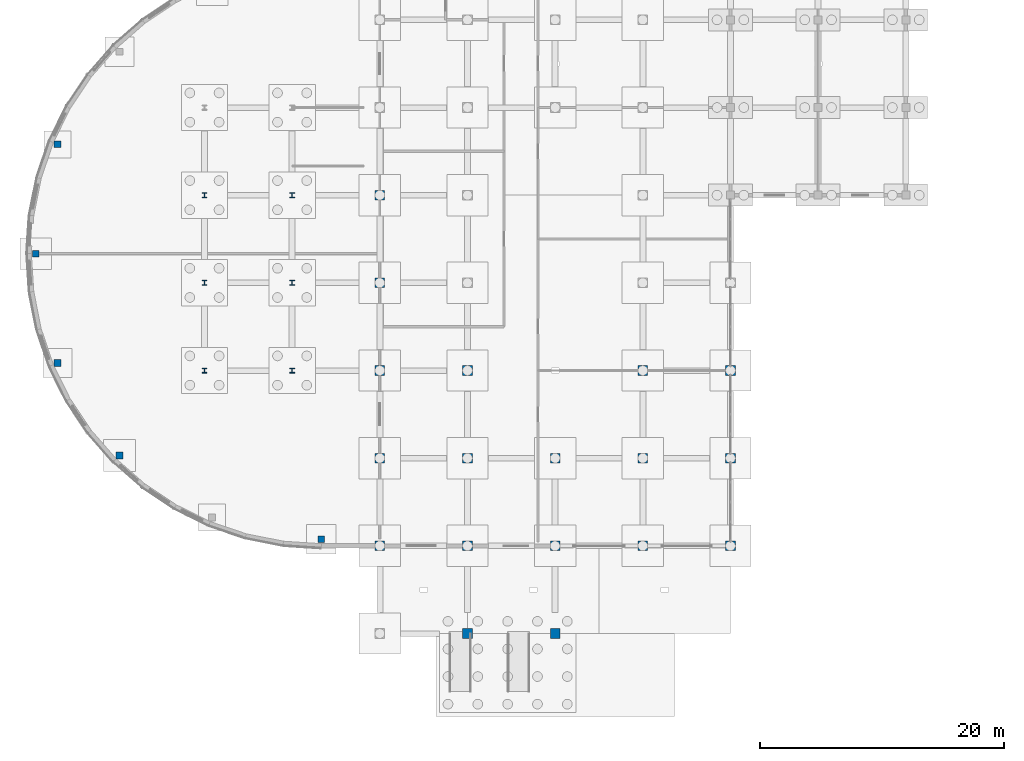
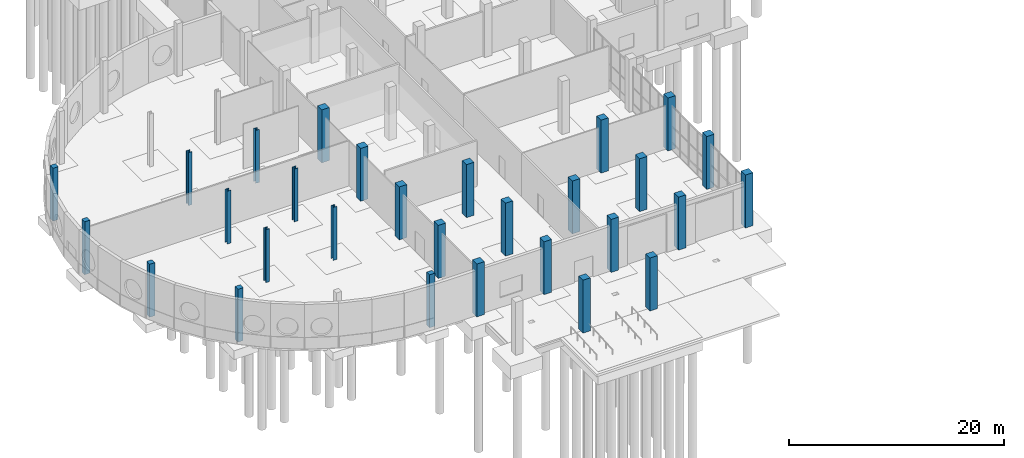
# One storey, part 6 of 45: 29 columns.
"""IFC4 building model written with IfcOpenShell, lengths in metres."""

from ifc_helpers import new_model, si_unit, direction, frame, origin, origin_2d, place, context, subcontext, project, spatial, rectangle, i_section, extrude, material, material_profile, profile_set, type_object, element, save


model = new_model("IFC4")

# Units and contexts
model_context = context("Model", 3, precision=1e-05, world=origin(), true_north=direction((0.0, 1.0)))
body_context = subcontext(model_context, "Body", "Model", "MODEL_VIEW")
ifc_project = project(units=[si_unit("LENGTHUNIT", "METRE"), si_unit("AREAUNIT", "SQUARE_METRE"), si_unit("VOLUMEUNIT", "CUBIC_METRE"), si_unit("PLANEANGLEUNIT", "RADIAN"), si_unit("MASSUNIT", "GRAM", prefix="KILO")], contexts=[model_context])

# Site, building, storey
site_placement = place(None, origin())
site = spatial("IfcSite", under=ifc_project, at=site_placement, CompositionType="ELEMENT")
building_placement = place(site_placement, origin())
building = spatial("IfcBuilding", under=site, at=building_placement, Name="Yarey Park Central Fire Station", CompositionType="ELEMENT")
storey_placement = place(building_placement, origin())
storey = spatial("IfcBuildingStorey", under=building, at=storey_placement, Name="L01", CompositionType="ELEMENT", Elevation=0.0)

# Columns
ifc_material_1 = material(Name="Concrete C40/50", Category="concrete")
ifc_material_profile_1 = material_profile(ifc_material_1, rectangle(XDim=0.550048828125, YDim=0.550048828125, at=origin_2d()), Name="RC 550x550")
ifc_profile_set_1 = profile_set([ifc_material_profile_1], Name="Concrete C40/50")
column_type_1 = type_object("IfcColumnType", Name="STR_COL_RC550_EXT", PredefinedType="COLUMN", material=ifc_profile_set_1)
for number, where, z_axis, x_axis, name in (
    (1, (0.550048828125, 31.199951171875, 0.0), (0.0, 0.0, 1.0), (1.0, 0.0, 0.0), "COL_L01_X6_Y312"),
    (2, (2.3349609375, 22.22607421875, 0.0), (0.0, 0.0, 1.0), (1.0, 0.0, 0.0), "COL_L01_X23_Y222"),
    (3, (2.3349609375, 40.174072265625, 0.0), (0.0, 0.0, 1.0), (1.0, 0.0, 0.0), "COL_L01_X23_Y402"),
    (4, (7.41796875, 14.617919921875, 0.0), (0.0, 0.0, 1.0), (1.0, 0.0, 0.0), "COL_L01_X74_Y146"),
    (5, (24.0, 7.75, 0.0), (0.0, 0.0, 1.0), (1.0, 0.0, 0.0), "COL_L01_X240_Y78"),
):
    element("IfcColumn", number, at=place(storey_placement, frame(where, z_axis=z_axis, x_axis=x_axis)), inside=storey, type_object=column_type_1, Name=name, PredefinedType="COLUMN", context=body_context, shape_type="SweptSolid", body=[
        extrude(rectangle(XDim=0.550048828125, YDim=0.550048828125, at=origin_2d()), origin(), (0.0, 0.0, 1.0), 6.0),
    ])
ifc_material_profile_2 = material_profile(ifc_material_1, rectangle(XDim=0.800048828125, YDim=0.800048828125, at=origin_2d()), Name="RC 800x800")
ifc_profile_set_2 = profile_set([ifc_material_profile_2], Name="Concrete C40/50")
column_type_2 = type_object("IfcColumnType", Name="STR_COL_RC800_EXT", PredefinedType="COLUMN", material=ifc_profile_set_2)
for number, where, z_axis, x_axis, name in (
    (6, (28.800048828125, 7.199951171875, 0.0), (0.0, 0.0, 1.0), (1.0, 0.0, 0.0), "COL_L01_X288_Y72"),
    (7, (28.800048828125, 14.39990234375, 0.0), (0.0, 0.0, 1.0), (1.0, 0.0, 0.0), "COL_L01_X288_Y144"),
    (8, (28.800048828125, 21.60009765625, 0.0), (0.0, 0.0, 1.0), (1.0, 0.0, 0.0), "COL_L01_X288_Y216"),
    (9, (28.800048828125, 28.800048828125, 0.0), (0.0, 0.0, 1.0), (1.0, 0.0, 0.0), "COL_L01_X288_Y288"),
    (10, (28.800048828125, 36.0, 0.0), (0.0, 0.0, 1.0), (1.0, 0.0, 0.0), "COL_L01_X288_Y360"),
    (11, (36.0, 0.0, 0.0), (0.0, 0.0, 1.0), (1.0, 0.0, 0.0), "COL_L01_X360_Y0"),
    (12, (36.0, 7.199951171875, 0.0), (0.0, 0.0, 1.0), (1.0, 0.0, 0.0), "COL_L01_X360_Y72"),
    (13, (43.199951171875, 0.0, 0.0), (0.0, 0.0, 1.0), (1.0, 0.0, 0.0), "COL_L01_X432_Y0"),
    (14, (43.199951171875, 7.199951171875, 0.0), (0.0, 0.0, 1.0), (1.0, 0.0, 0.0), "COL_L01_X432_Y72"),
    (15, (50.39990234375, 7.199951171875, 0.0), (0.0, 0.0, 1.0), (1.0, 0.0, 0.0), "COL_L01_X504_Y72"),
    (16, (57.60009765625, 7.199951171875, 0.0), (0.0, 0.0, 1.0), (1.0, 0.0, 0.0), "COL_L01_X576_Y72"),
    (17, (57.60009765625, 14.39990234375, 0.0), (0.0, 0.0, 1.0), (1.0, 0.0, 0.0), "COL_L01_X576_Y144"),
    (18, (57.60009765625, 21.60009765625, 0.0), (0.0, 0.0, 1.0), (1.0, 0.0, 0.0), "COL_L01_X576_Y216"),
):
    element("IfcColumn", number, at=place(storey_placement, frame(where, z_axis=z_axis, x_axis=x_axis)), inside=storey, type_object=column_type_2, Name=name, PredefinedType="COLUMN", context=body_context, shape_type="SweptSolid", body=[
        extrude(rectangle(XDim=0.800048828125, YDim=0.800048828125, at=origin_2d()), origin(), (0.0, 0.0, 1.0), 6.0),
    ])
ifc_material_profile_3 = material_profile(ifc_material_1, rectangle(XDim=0.800048828125, YDim=0.800048828125, at=origin_2d()), Name="RC 800x800")
ifc_profile_set_3 = profile_set([ifc_material_profile_3], Name="Concrete C40/50")
column_type_3 = type_object("IfcColumnType", Name="STR_COL_RC800_INT", PredefinedType="COLUMN", material=ifc_profile_set_3)
for number, where, z_axis, x_axis, name in (
    (19, (36.0, 14.39990234375, 0.0), (0.0, 0.0, 1.0), (1.0, 0.0, 0.0), "COL_L01_X360_Y144"),
    (20, (36.0, 21.60009765625, 0.0), (0.0, 0.0, 1.0), (1.0, 0.0, 0.0), "COL_L01_X360_Y216"),
    (21, (43.199951171875, 14.39990234375, 0.0), (0.0, 0.0, 1.0), (1.0, 0.0, 0.0), "COL_L01_X432_Y144"),
    (22, (50.39990234375, 14.39990234375, 0.0), (0.0, 0.0, 1.0), (1.0, 0.0, 0.0), "COL_L01_X504_Y144"),
    (23, (50.39990234375, 21.60009765625, 0.0), (0.0, 0.0, 1.0), (1.0, 0.0, 0.0), "COL_L01_X504_Y216"),
):
    element("IfcColumn", number, at=place(storey_placement, frame(where, z_axis=z_axis, x_axis=x_axis)), inside=storey, type_object=column_type_3, Name=name, PredefinedType="COLUMN", context=body_context, shape_type="SweptSolid", body=[
        extrude(rectangle(XDim=0.800048828125, YDim=0.800048828125, at=origin_2d()), origin(), (0.0, 0.0, 1.0), 6.0),
    ])
ifc_material_2 = material(Name="Steel ASTM A992 Gr. 50", Category="steel")
ifc_material_profile_4 = material_profile(ifc_material_2, i_section(OverallWidth=0.404052734375, OverallDepth=0.406982421875, WebThickness=0.027099609375, FlangeThickness=0.043701171875, at=origin_2d()), Name="W360x347")
ifc_profile_set_4 = profile_set([ifc_material_profile_4], Name="Steel ASTM A992 Gr. 50")
column_type_4 = type_object("IfcColumnType", Name="STR_COL_W360_INT", PredefinedType="COLUMN", material=ifc_profile_set_4)
for number, where, z_axis, x_axis, name in (
    (24, (14.39990234375, 21.60009765625, 0.0), (0.0, 0.0, 1.0), (1.0, 0.0, 0.0), "COL_L01_X144_Y216"),
    (25, (14.39990234375, 28.800048828125, 0.0), (0.0, 0.0, 1.0), (1.0, 0.0, 0.0), "COL_L01_X144_Y288"),
    (26, (14.39990234375, 36.0, 0.0), (0.0, 0.0, 1.0), (1.0, 0.0, 0.0), "COL_L01_X144_Y360"),
    (27, (21.60009765625, 21.60009765625, 0.0), (0.0, 0.0, 1.0), (1.0, 0.0, 0.0), "COL_L01_X216_Y216"),
    (28, (21.60009765625, 28.800048828125, 0.0), (0.0, 0.0, 1.0), (1.0, 0.0, 0.0), "COL_L01_X216_Y288"),
    (29, (21.60009765625, 36.0, 0.0), (0.0, 0.0, 1.0), (1.0, 0.0, 0.0), "COL_L01_X216_Y360"),
):
    element("IfcColumn", number, at=place(storey_placement, frame(where, z_axis=z_axis, x_axis=x_axis)), inside=storey, type_object=column_type_4, Name=name, PredefinedType="COLUMN", context=body_context, shape_type="SweptSolid", body=[
        extrude(i_section(OverallWidth=0.404052734375, OverallDepth=0.406982421875, WebThickness=0.027099609375, FlangeThickness=0.043701171875, at=origin_2d()), origin(), (0.0, 0.0, 1.0), 6.0),
    ])

save(model, "model.ifc")
